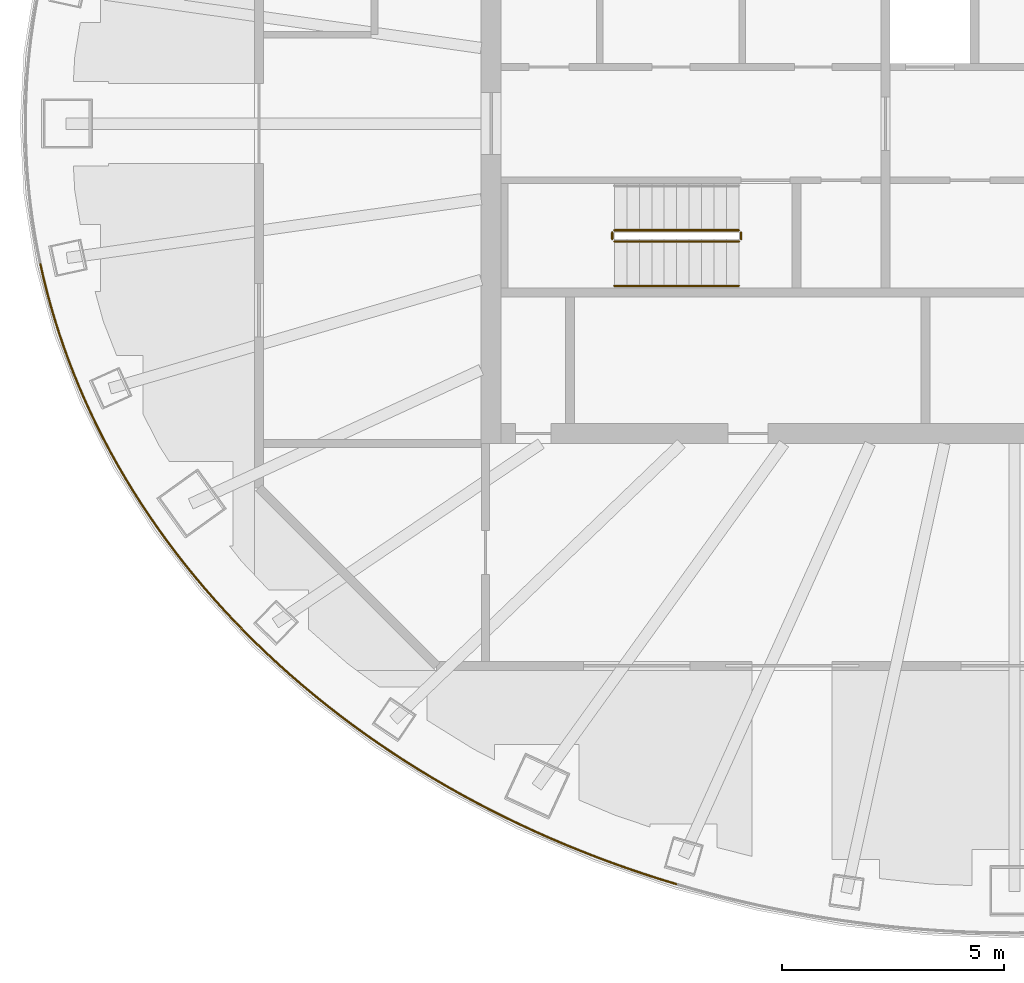
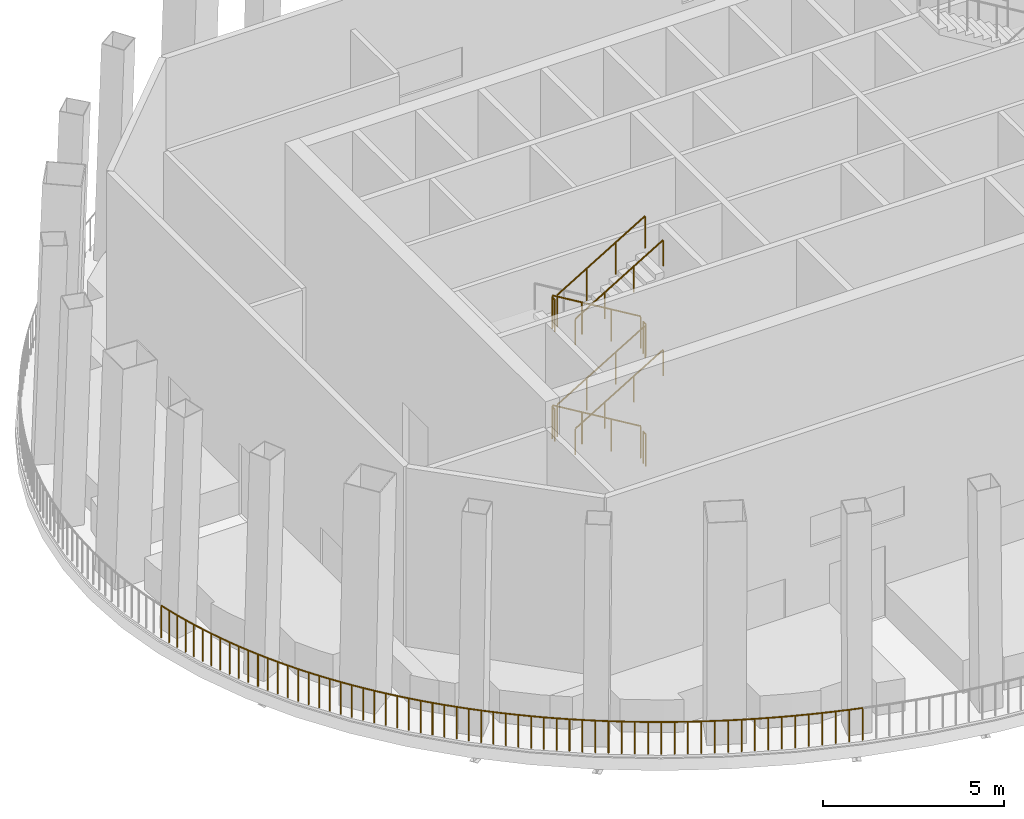
# One storey, part 7 of 12: 16 railings.
"""IFC4 building model written with IfcOpenShell, lengths in metres."""

from ifc_helpers import new_model, si_unit, direction, frame, origin, origin_2d, place, context, subcontext, project, spatial, circle, extrude, material, type_object, element, save


model = new_model("IFC4")

# Units and contexts
model_context = context("Model", 3, precision=1e-05, world=origin(), true_north=direction((0.0, 1.0)))
body_context = subcontext(model_context, "Body", "Model", "MODEL_VIEW")
ifc_project = project(units=[si_unit("LENGTHUNIT", "METRE"), si_unit("AREAUNIT", "SQUARE_METRE"), si_unit("VOLUMEUNIT", "CUBIC_METRE"), si_unit("PLANEANGLEUNIT", "RADIAN"), si_unit("MASSUNIT", "GRAM", prefix="KILO")], contexts=[model_context])

# Site, building, storey
site_placement = place(None, origin())
site = spatial("IfcSite", under=ifc_project, at=site_placement, CompositionType="ELEMENT")
building_placement = place(site_placement, origin())
building = spatial("IfcBuilding", under=site, at=building_placement, Name="Siaravel Broadcast Tower", CompositionType="ELEMENT")
storey_placement = place(building_placement, frame((0.0, 0.0, 205.199951171875)))
storey = spatial("IfcBuildingStorey", under=building, at=storey_placement, Name="L50", CompositionType="ELEMENT", Elevation=205.199951171875)

# Railings
ifc_material_1 = material(Name="Steel S355", Category="steel")
railing_type_1 = type_object("IfcRailingType", Name="Guard 1100", PredefinedType="GUARDRAIL", material=ifc_material_1)
railing_1_placement = place(storey_placement, frame((-21.91796875, -3.161865234375, 0.080078125)))
element("IfcRailing", 1, at=railing_1_placement, inside=storey, type_object=railing_type_1, Name="L50 sky garden guard 20", PredefinedType="GUARDRAIL", context=body_context, shape_type="SweptSolid", body=[
    extrude(circle(Radius=0.02392578125, at=origin_2d()), frame((0.0, 0.0, 1.076171875), z_axis=(0.220962402, -0.975282327, 0.0), x_axis=(0.975282327, 0.220962402, 0.0)), (0.0, 0.0, 1.0), 0.3203125),
    extrude(circle(Radius=0.02392578125, at=origin_2d()), frame((0.07080078125, -0.3125, 1.076171875), z_axis=(0.241103682, -0.970499363, 0.0), x_axis=(0.970499363, 0.241103682, 0.0)), (0.0, 0.0, 1.0), 0.321044921875),
    extrude(circle(Radius=0.02392578125, at=origin_2d()), frame((0.148193359375, -0.6240234375, 1.076171875), z_axis=(0.261444979, -0.965218381, 0.0), x_axis=(0.965218381, 0.261444979, 0.0)), (0.0, 0.0, 1.0), 0.3212890625),
    extrude(circle(Radius=0.02392578125, at=origin_2d()), frame((0.232177734375, -0.93408203125, 1.076171875), z_axis=(0.281920134, -0.959437876, 0.0), x_axis=(0.959437876, 0.281920134, 0.0)), (0.0, 0.0, 1.0), 0.322265625),
    extrude(circle(Radius=0.02392578125, at=origin_2d()), frame((0.322998046875, -1.2431640625, 1.076171875), z_axis=(0.301203806, -0.953559787, 0.0), x_axis=(0.953559787, 0.301203806, 0.0)), (0.0, 0.0, 1.0), 0.322509765625),
    extrude(circle(Radius=0.02392578125, at=origin_2d()), frame((0.420166015625, -1.55078125, 1.076171875), z_axis=(0.321429253, -0.946933596, 0.0), x_axis=(0.946933596, 0.321429253, 0.0)), (0.0, 0.0, 1.0), 0.323486328125),
    extrude(circle(Radius=0.02392578125, at=origin_2d()), frame((0.524169921875, -1.857177734375, 1.076171875), z_axis=(0.339866672, -0.940473628, 0.0), x_axis=(0.940473628, 0.339866672, 0.0)), (0.0, 0.0, 1.0), 0.323974609375),
    extrude(circle(Radius=0.02392578125, at=origin_2d()), frame((0.63427734375, -2.161865234375, 1.076171875), z_axis=(0.360087073, -0.9329187, 0.0), x_axis=(0.9329187, 0.360087073, 0.0)), (0.0, 0.0, 1.0), 0.32470703125),
    extrude(circle(Radius=0.02392578125, at=origin_2d()), frame((0.751220703125, -2.46484375, 1.076171875), z_axis=(0.378106972, -0.925761912, 0.0), x_axis=(0.925761912, 0.378106972, 0.0)), (0.0, 0.0, 1.0), 0.325439453125),
    extrude(circle(Radius=0.02392578125, at=origin_2d()), frame((0.874267578125, -2.76611328125, 1.076171875), z_axis=(0.397523557, -0.917591969, 0.0), x_axis=(0.917591969, 0.397523557, 0.0)), (0.0, 0.0, 1.0), 0.32666015625),
    extrude(circle(Radius=0.02099609375, at=origin_2d()), origin(), (0.0, 0.0, 1.0), 1.052001953125),
    extrude(circle(Radius=0.02099609375, at=origin_2d()), frame((0.07080078125, -0.3125, 0.0)), (0.0, 0.0, 1.0), 1.052001953125),
    extrude(circle(Radius=0.02099609375, at=origin_2d()), frame((0.148193359375, -0.6240234375, 0.0)), (0.0, 0.0, 1.0), 1.052001953125),
    extrude(circle(Radius=0.02099609375, at=origin_2d()), frame((0.232177734375, -0.93408203125, 0.0)), (0.0, 0.0, 1.0), 1.052001953125),
    extrude(circle(Radius=0.02099609375, at=origin_2d()), frame((0.322998046875, -1.2431640625, 0.0)), (0.0, 0.0, 1.0), 1.052001953125),
    extrude(circle(Radius=0.02099609375, at=origin_2d()), frame((0.420166015625, -1.55078125, 0.0)), (0.0, 0.0, 1.0), 1.052001953125),
    extrude(circle(Radius=0.02099609375, at=origin_2d()), frame((0.524169921875, -1.857177734375, 0.0)), (0.0, 0.0, 1.0), 1.052001953125),
    extrude(circle(Radius=0.02099609375, at=origin_2d()), frame((0.63427734375, -2.161865234375, 0.0)), (0.0, 0.0, 1.0), 1.052001953125),
    extrude(circle(Radius=0.02099609375, at=origin_2d()), frame((0.751220703125, -2.46484375, 0.0)), (0.0, 0.0, 1.0), 1.052001953125),
    extrude(circle(Radius=0.02099609375, at=origin_2d()), frame((0.874267578125, -2.76611328125, 0.0)), (0.0, 0.0, 1.0), 1.052001953125),
    extrude(circle(Radius=0.02099609375, at=origin_2d()), frame((1.004150390625, -3.06591796875, 0.0)), (0.0, 0.0, 1.0), 1.052001953125),
])
railing_2_placement = place(storey_placement, frame((-20.913818359375, -6.227783203125, 0.080078125)))
element("IfcRailing", 2, at=railing_2_placement, inside=storey, type_object=railing_type_1, Name="L50 sky garden guard 21", PredefinedType="GUARDRAIL", context=body_context, shape_type="SweptSolid", body=[
    extrude(circle(Radius=0.02392578125, at=origin_2d()), frame((0.0, 0.0, 1.076171875), z_axis=(0.415601054, -0.90954701, 0.0), x_axis=(0.90954701, 0.415601054, 0.0)), (0.0, 0.0, 1.0), 0.3271484375),
    extrude(circle(Radius=0.02392578125, at=origin_2d()), frame((0.135986328125, -0.297607421875, 1.076171875), z_axis=(0.433770877, -0.901023211, 0.0), x_axis=(0.901023211, 0.433770877, 0.0)), (0.0, 0.0, 1.0), 0.328125),
    extrude(circle(Radius=0.02392578125, at=origin_2d()), frame((0.2783203125, -0.59326171875, 1.076171875), z_axis=(0.451657892, -0.892191206, 0.0), x_axis=(0.892191206, 0.451657892, 0.0)), (0.0, 0.0, 1.0), 0.3291015625),
    extrude(circle(Radius=0.02392578125, at=origin_2d()), frame((0.427001953125, -0.886962890625, 1.076171875), z_axis=(0.469281499, -0.883048625, 0.0), x_axis=(0.883048625, 0.469281499, 0.0)), (0.0, 0.0, 1.0), 0.329833984375),
    extrude(circle(Radius=0.02392578125, at=origin_2d()), frame((0.581787109375, -1.17822265625, 1.076171875), z_axis=(0.486581595, -0.873635136, 0.0), x_axis=(0.873635136, 0.486581595, 0.0)), (0.0, 0.0, 1.0), 0.3310546875),
    extrude(circle(Radius=0.02392578125, at=origin_2d()), frame((0.742919921875, -1.467529296875, 1.076171875), z_axis=(0.503642434, -0.863912205, 0.0), x_axis=(0.863912205, 0.503642434, 0.0)), (0.0, 0.0, 1.0), 0.33203125),
    extrude(circle(Radius=0.02392578125, at=origin_2d()), frame((0.91015625, -1.75439453125, 1.076171875), z_axis=(0.52041193, -0.853915349, 0.0), x_axis=(0.853915349, 0.52041193, 0.0)), (0.0, 0.0, 1.0), 0.3330078125),
    extrude(circle(Radius=0.02392578125, at=origin_2d()), frame((1.08349609375, -2.038818359375, 1.076171875), z_axis=(0.537206502, -0.843450754, 0.0), x_axis=(0.843450754, 0.537206502, 0.0)), (0.0, 0.0, 1.0), 0.333984375),
    extrude(circle(Radius=0.02392578125, at=origin_2d()), frame((1.262939453125, -2.320556640625, 1.076171875), z_axis=(0.552849831, -0.833280904, 0.0), x_axis=(0.833280904, 0.552849831, 0.0)), (0.0, 0.0, 1.0), 0.335205078125),
    extrude(circle(Radius=0.02392578125, at=origin_2d()), frame((1.4482421875, -2.599853515625, 1.076171875), z_axis=(0.568530162, -0.822662418, 0.0), x_axis=(0.822662418, 0.568530162, 0.0)), (0.0, 0.0, 1.0), 0.336181640625),
    extrude(circle(Radius=0.02099609375, at=origin_2d()), origin(), (0.0, 0.0, 1.0), 1.052001953125),
    extrude(circle(Radius=0.02099609375, at=origin_2d()), frame((0.135986328125, -0.297607421875, 0.0)), (0.0, 0.0, 1.0), 1.052001953125),
    extrude(circle(Radius=0.02099609375, at=origin_2d()), frame((0.2783203125, -0.59326171875, 0.0)), (0.0, 0.0, 1.0), 1.052001953125),
    extrude(circle(Radius=0.02099609375, at=origin_2d()), frame((0.427001953125, -0.886962890625, 0.0)), (0.0, 0.0, 1.0), 1.052001953125),
    extrude(circle(Radius=0.02099609375, at=origin_2d()), frame((0.581787109375, -1.17822265625, 0.0)), (0.0, 0.0, 1.0), 1.052001953125),
    extrude(circle(Radius=0.02099609375, at=origin_2d()), frame((0.742919921875, -1.467529296875, 0.0)), (0.0, 0.0, 1.0), 1.052001953125),
    extrude(circle(Radius=0.02099609375, at=origin_2d()), frame((0.91015625, -1.75439453125, 0.0)), (0.0, 0.0, 1.0), 1.052001953125),
    extrude(circle(Radius=0.02099609375, at=origin_2d()), frame((1.08349609375, -2.038818359375, 0.0)), (0.0, 0.0, 1.0), 1.052001953125),
    extrude(circle(Radius=0.02099609375, at=origin_2d()), frame((1.262939453125, -2.320556640625, 0.0)), (0.0, 0.0, 1.0), 1.052001953125),
    extrude(circle(Radius=0.02099609375, at=origin_2d()), frame((1.4482421875, -2.599853515625, 0.0)), (0.0, 0.0, 1.0), 1.052001953125),
    extrude(circle(Radius=0.02099609375, at=origin_2d()), frame((1.639404296875, -2.87646484375, 0.0)), (0.0, 0.0, 1.0), 1.052001953125),
])
railing_3_placement = place(storey_placement, frame((-19.2744140625, -9.104248046875, 0.080078125)))
element("IfcRailing", 3, at=railing_3_placement, inside=storey, type_object=railing_type_1, Name="L50 sky garden guard 22", PredefinedType="GUARDRAIL", context=body_context, shape_type="SweptSolid", body=[
    extrude(circle(Radius=0.02392578125, at=origin_2d()), frame((0.0, 0.0, 1.076171875), z_axis=(0.584380934, -0.811479466, 0.0), x_axis=(0.811479466, 0.584380934, 0.0)), (0.0, 0.0, 1.0), 0.337646484375),
    extrude(circle(Radius=0.02392578125, at=origin_2d()), frame((0.197265625, -0.27392578125, 1.076171875), z_axis=(0.599307435, -0.800518956, 0.0), x_axis=(0.800518956, 0.599307435, 0.0)), (0.0, 0.0, 1.0), 0.338623046875),
    extrude(circle(Radius=0.02392578125, at=origin_2d()), frame((0.400146484375, -0.544921875, 1.076171875), z_axis=(0.614736721, -0.788732378, 0.0), x_axis=(0.788732378, 0.614736721, 0.0)), (0.0, 0.0, 1.0), 0.339599609375),
    extrude(circle(Radius=0.02392578125, at=origin_2d()), frame((0.60888671875, -0.812744140625, 1.076171875), z_axis=(0.628703723, -0.777644924, 0.0), x_axis=(0.777644924, 0.628703723, 0.0)), (0.0, 0.0, 1.0), 0.341064453125),
    extrude(circle(Radius=0.02392578125, at=origin_2d()), frame((0.8232421875, -1.077880859375, 1.076171875), z_axis=(0.643058171, -0.765817334, 0.0), x_axis=(0.765817334, 0.643058171, 0.0)), (0.0, 0.0, 1.0), 0.342041015625),
    extrude(circle(Radius=0.02392578125, at=origin_2d()), frame((1.043212890625, -1.33984375, 1.076171875), z_axis=(0.65744612, -0.753501559, 0.0), x_axis=(0.753501559, 0.65744612, 0.0)), (0.0, 0.0, 1.0), 0.343017578125),
    extrude(circle(Radius=0.02392578125, at=origin_2d()), frame((1.268798828125, -1.598388671875, 1.076171875), z_axis=(0.67080203, -0.741636458, 0.0), x_axis=(0.741636458, 0.67080203, 0.0)), (0.0, 0.0, 1.0), 0.3447265625),
    extrude(circle(Radius=0.02392578125, at=origin_2d()), frame((1.5, -1.85400390625, 1.076171875), z_axis=(0.68412918, -0.729360861, 0.0), x_axis=(0.729360861, 0.68412918, 0.0)), (0.0, 0.0, 1.0), 0.345458984375),
    extrude(circle(Radius=0.02392578125, at=origin_2d()), frame((1.736328125, -2.10595703125, 1.076171875), z_axis=(0.697188894, -0.716887471, 0.0), x_axis=(0.716887471, 0.697188894, 0.0)), (0.0, 0.0, 1.0), 0.346923828125),
    extrude(circle(Radius=0.02392578125, at=origin_2d()), frame((1.978271484375, -2.354736328125, 1.076171875), z_axis=(0.709208125, -0.704999174, 0.0), x_axis=(0.704999174, 0.709208125, 0.0)), (0.0, 0.0, 1.0), 0.34814453125),
    extrude(circle(Radius=0.02099609375, at=origin_2d()), origin(), (0.0, 0.0, 1.0), 1.052001953125),
    extrude(circle(Radius=0.02099609375, at=origin_2d()), frame((0.197265625, -0.27392578125, 0.0)), (0.0, 0.0, 1.0), 1.052001953125),
    extrude(circle(Radius=0.02099609375, at=origin_2d()), frame((0.400146484375, -0.544921875, 0.0)), (0.0, 0.0, 1.0), 1.052001953125),
    extrude(circle(Radius=0.02099609375, at=origin_2d()), frame((0.60888671875, -0.812744140625, 0.0)), (0.0, 0.0, 1.0), 1.052001953125),
    extrude(circle(Radius=0.02099609375, at=origin_2d()), frame((0.8232421875, -1.077880859375, 0.0)), (0.0, 0.0, 1.0), 1.052001953125),
    extrude(circle(Radius=0.02099609375, at=origin_2d()), frame((1.043212890625, -1.33984375, 0.0)), (0.0, 0.0, 1.0), 1.052001953125),
    extrude(circle(Radius=0.02099609375, at=origin_2d()), frame((1.268798828125, -1.598388671875, 0.0)), (0.0, 0.0, 1.0), 1.052001953125),
    extrude(circle(Radius=0.02099609375, at=origin_2d()), frame((1.5, -1.85400390625, 0.0)), (0.0, 0.0, 1.0), 1.052001953125),
    extrude(circle(Radius=0.02099609375, at=origin_2d()), frame((1.736328125, -2.10595703125, 0.0)), (0.0, 0.0, 1.0), 1.052001953125),
    extrude(circle(Radius=0.02099609375, at=origin_2d()), frame((1.978271484375, -2.354736328125, 0.0)), (0.0, 0.0, 1.0), 1.052001953125),
    extrude(circle(Radius=0.02099609375, at=origin_2d()), frame((2.22509765625, -2.60009765625, 0.0)), (0.0, 0.0, 1.0), 1.052001953125),
])
railing_4_placement = place(storey_placement, frame((-17.04931640625, -11.704345703125, 0.080078125)))
element("IfcRailing", 4, at=railing_4_placement, inside=storey, type_object=railing_type_1, Name="L50 sky garden guard 23", PredefinedType="GUARDRAIL", context=body_context, shape_type="SweptSolid", body=[
    extrude(circle(Radius=0.02392578125, at=origin_2d()), frame((0.0, 0.0, 1.076171875), z_axis=(0.722657035, -0.691206778, 0.0), x_axis=(0.691206778, 0.722657035, 0.0)), (0.0, 0.0, 1.0), 0.349365234375),
    extrude(circle(Radius=0.02392578125, at=origin_2d()), frame((0.25244140625, -0.241455078125, 1.076171875), z_axis=(0.73408208, -0.679060748, 0.0), x_axis=(0.679060748, 0.73408208, 0.0)), (0.0, 0.0, 1.0), 0.3505859375),
    extrude(circle(Radius=0.02392578125, at=origin_2d()), frame((0.509765625, -0.4794921875, 1.076171875), z_axis=(0.745876104, -0.666084707, 0.0), x_axis=(0.666084707, 0.745876104, 0.0)), (0.0, 0.0, 1.0), 0.351806640625),
    extrude(circle(Radius=0.02392578125, at=origin_2d()), frame((0.772216796875, -0.7138671875, 1.076171875), z_axis=(0.757398166, -0.652953305, 0.0), x_axis=(0.652953305, 0.757398166, 0.0)), (0.0, 0.0, 1.0), 0.35302734375),
    extrude(circle(Radius=0.02392578125, at=origin_2d()), frame((1.03955078125, -0.9443359375, 1.076171875), z_axis=(0.768559864, -0.63977788, 0.0), x_axis=(0.63977788, 0.768559864, 0.0)), (0.0, 0.0, 1.0), 0.3544921875),
    extrude(circle(Radius=0.02392578125, at=origin_2d()), frame((1.31201171875, -1.171142578125, 1.076171875), z_axis=(0.779257223, -0.626704221, 0.0), x_axis=(0.626704221, 0.779257223, 0.0)), (0.0, 0.0, 1.0), 0.355224609375),
    extrude(circle(Radius=0.02392578125, at=origin_2d()), frame((1.5888671875, -1.393798828125, 1.076171875), z_axis=(0.789867917, -0.613276996, 0.0), x_axis=(0.613276996, 0.789867917, 0.0)), (0.0, 0.0, 1.0), 0.356689453125),
    extrude(circle(Radius=0.02392578125, at=origin_2d()), frame((1.87060546875, -1.612548828125, 1.076171875), z_axis=(0.800490663, -0.599345224, 0.0), x_axis=(0.599345224, 0.800490663, 0.0)), (0.0, 0.0, 1.0), 0.358154296875),
    extrude(circle(Radius=0.02392578125, at=origin_2d()), frame((2.1572265625, -1.8271484375, 1.076171875), z_axis=(0.809763888, -0.586755865, 0.0), x_axis=(0.586755865, 0.809763888, 0.0)), (0.0, 0.0, 1.0), 0.359130859375),
    extrude(circle(Radius=0.02392578125, at=origin_2d()), frame((2.447998046875, -2.037841796875, 1.076171875), z_axis=(0.819868065, -0.572552492, 0.0), x_axis=(0.572552492, 0.819868065, 0.0)), (0.0, 0.0, 1.0), 0.3603515625),
    extrude(circle(Radius=0.02099609375, at=origin_2d()), origin(), (0.0, 0.0, 1.0), 1.052001953125),
    extrude(circle(Radius=0.02099609375, at=origin_2d()), frame((0.25244140625, -0.241455078125, 0.0)), (0.0, 0.0, 1.0), 1.052001953125),
    extrude(circle(Radius=0.02099609375, at=origin_2d()), frame((0.509765625, -0.4794921875, 0.0)), (0.0, 0.0, 1.0), 1.052001953125),
    extrude(circle(Radius=0.02099609375, at=origin_2d()), frame((0.772216796875, -0.7138671875, 0.0)), (0.0, 0.0, 1.0), 1.052001953125),
    extrude(circle(Radius=0.02099609375, at=origin_2d()), frame((1.03955078125, -0.9443359375, 0.0)), (0.0, 0.0, 1.0), 1.052001953125),
    extrude(circle(Radius=0.02099609375, at=origin_2d()), frame((1.31201171875, -1.171142578125, 0.0)), (0.0, 0.0, 1.0), 1.052001953125),
    extrude(circle(Radius=0.02099609375, at=origin_2d()), frame((1.5888671875, -1.393798828125, 0.0)), (0.0, 0.0, 1.0), 1.052001953125),
    extrude(circle(Radius=0.02099609375, at=origin_2d()), frame((1.87060546875, -1.612548828125, 0.0)), (0.0, 0.0, 1.0), 1.052001953125),
    extrude(circle(Radius=0.02099609375, at=origin_2d()), frame((2.1572265625, -1.8271484375, 0.0)), (0.0, 0.0, 1.0), 1.052001953125),
    extrude(circle(Radius=0.02099609375, at=origin_2d()), frame((2.447998046875, -2.037841796875, 0.0)), (0.0, 0.0, 1.0), 1.052001953125),
    extrude(circle(Radius=0.02099609375, at=origin_2d()), frame((2.743408203125, -2.244140625, 0.0)), (0.0, 0.0, 1.0), 1.052001953125),
])
railing_5_placement = place(storey_placement, frame((-14.305908203125, -13.948486328125, 0.080078125)))
element("IfcRailing", 5, at=railing_5_placement, inside=storey, type_object=railing_type_1, Name="L50 sky garden guard 24", PredefinedType="GUARDRAIL", context=body_context, shape_type="SweptSolid", body=[
    extrude(circle(Radius=0.02392578125, at=origin_2d()), frame((0.0, 0.0, 1.076171875), z_axis=(0.829130356, -0.559055322, 0.0), x_axis=(0.559055322, 0.829130356, 0.0)), (0.0, 0.0, 1.0), 0.361572265625),
    extrude(circle(Radius=0.02392578125, at=origin_2d()), frame((0.2998046875, -0.2021484375, 1.076171875), z_axis=(0.837905031, -0.545816048, 0.0), x_axis=(0.545816048, 0.837905031, 0.0)), (0.0, 0.0, 1.0), 0.36279296875),
    extrude(circle(Radius=0.02392578125, at=origin_2d()), frame((0.603759765625, -0.400146484375, 1.076171875), z_axis=(0.847016493, -0.53156661, 0.0), x_axis=(0.53156661, 0.847016493, 0.0)), (0.0, 0.0, 1.0), 0.36376953125),
    extrude(circle(Radius=0.02392578125, at=origin_2d()), frame((0.911865234375, -0.593505859375, 1.076171875), z_axis=(0.855242736, -0.518227616, 0.0), x_axis=(0.518227616, 0.855242736, 0.0)), (0.0, 0.0, 1.0), 0.364990234375),
    extrude(circle(Radius=0.02392578125, at=origin_2d()), frame((1.22412109375, -0.78271484375, 1.076171875), z_axis=(0.863899853, -0.503663621, 0.0), x_axis=(0.503663621, 0.863899853, 0.0)), (0.0, 0.0, 1.0), 0.365966796875),
    extrude(circle(Radius=0.02392578125, at=origin_2d()), frame((1.540283203125, -0.967041015625, 1.076171875), z_axis=(0.871415727, -0.490545238, 0.0), x_axis=(0.490545238, 0.871415727, 0.0)), (0.0, 0.0, 1.0), 0.3671875),
    extrude(circle(Radius=0.02392578125, at=origin_2d()), frame((1.8603515625, -1.147216796875, 1.076171875), z_axis=(0.879511614, -0.475877422, 0.0), x_axis=(0.475877422, 0.879511614, 0.0)), (0.0, 0.0, 1.0), 0.368408203125),
    extrude(circle(Radius=0.02392578125, at=origin_2d()), frame((2.184326171875, -1.322509765625, 1.076171875), z_axis=(0.886631963, -0.462475689, 0.0), x_axis=(0.462475689, 0.886631963, 0.0)), (0.0, 0.0, 1.0), 0.36962890625),
    extrude(circle(Radius=0.02392578125, at=origin_2d()), frame((2.511962890625, -1.493408203125, 1.076171875), z_axis=(0.894031544, -0.448004016, 0.0), x_axis=(0.448004016, 0.894031544, 0.0)), (0.0, 0.0, 1.0), 0.37060546875),
    extrude(circle(Radius=0.02392578125, at=origin_2d()), frame((2.84326171875, -1.659423828125, 1.076171875), z_axis=(0.90090645, -0.434013326, 0.0), x_axis=(0.434013326, 0.90090645, 0.0)), (0.0, 0.0, 1.0), 0.371337890625),
    extrude(circle(Radius=0.02099609375, at=origin_2d()), origin(), (0.0, 0.0, 1.0), 1.052001953125),
    extrude(circle(Radius=0.02099609375, at=origin_2d()), frame((0.2998046875, -0.2021484375, 0.0)), (0.0, 0.0, 1.0), 1.052001953125),
    extrude(circle(Radius=0.02099609375, at=origin_2d()), frame((0.603759765625, -0.400146484375, 0.0)), (0.0, 0.0, 1.0), 1.052001953125),
    extrude(circle(Radius=0.02099609375, at=origin_2d()), frame((0.911865234375, -0.593505859375, 0.0)), (0.0, 0.0, 1.0), 1.052001953125),
    extrude(circle(Radius=0.02099609375, at=origin_2d()), frame((1.22412109375, -0.78271484375, 0.0)), (0.0, 0.0, 1.0), 1.052001953125),
    extrude(circle(Radius=0.02099609375, at=origin_2d()), frame((1.540283203125, -0.967041015625, 0.0)), (0.0, 0.0, 1.0), 1.052001953125),
    extrude(circle(Radius=0.02099609375, at=origin_2d()), frame((1.8603515625, -1.147216796875, 0.0)), (0.0, 0.0, 1.0), 1.052001953125),
    extrude(circle(Radius=0.02099609375, at=origin_2d()), frame((2.184326171875, -1.322509765625, 0.0)), (0.0, 0.0, 1.0), 1.052001953125),
    extrude(circle(Radius=0.02099609375, at=origin_2d()), frame((2.511962890625, -1.493408203125, 0.0)), (0.0, 0.0, 1.0), 1.052001953125),
    extrude(circle(Radius=0.02099609375, at=origin_2d()), frame((2.84326171875, -1.659423828125, 0.0)), (0.0, 0.0, 1.0), 1.052001953125),
    extrude(circle(Radius=0.02099609375, at=origin_2d()), frame((3.177734375, -1.820556640625, 0.0)), (0.0, 0.0, 1.0), 1.052001953125),
])
railing_6_placement = place(storey_placement, frame((-11.128173828125, -15.76904296875, 0.080078125)))
element("IfcRailing", 6, at=railing_6_placement, inside=storey, type_object=railing_type_1, Name="L50 sky garden guard 25", PredefinedType="GUARDRAIL", context=body_context, shape_type="SweptSolid", body=[
    extrude(circle(Radius=0.02392578125, at=origin_2d()), frame((0.0, 0.0, 1.076171875), z_axis=(0.907517788, -0.420013648, 0.0), x_axis=(0.420013648, 0.907517788, 0.0)), (0.0, 0.0, 1.0), 0.37255859375),
    extrude(circle(Radius=0.02392578125, at=origin_2d()), frame((0.338134765625, -0.156494140625, 1.076171875), z_axis=(0.914000038, -0.405714099, 0.0), x_axis=(0.405714099, 0.914000038, 0.0)), (0.0, 0.0, 1.0), 0.373779296875),
    extrude(circle(Radius=0.02392578125, at=origin_2d()), frame((0.6796875, -0.30810546875, 1.076171875), z_axis=(0.919784443, -0.392423979, 0.0), x_axis=(0.392423979, 0.919784443, 0.0)), (0.0, 0.0, 1.0), 0.37451171875),
    extrude(circle(Radius=0.02392578125, at=origin_2d()), frame((1.024169921875, -0.455078125, 1.076171875), z_axis=(0.926126022, -0.377214251, 0.0), x_axis=(0.377214251, 0.926126022, 0.0)), (0.0, 0.0, 1.0), 0.37548828125),
    extrude(circle(Radius=0.02392578125, at=origin_2d()), frame((1.371826171875, -0.5966796875, 1.076171875), z_axis=(0.931443609, -0.3638857, 0.0), x_axis=(0.3638857, 0.931443609, 0.0)), (0.0, 0.0, 1.0), 0.37646484375),
    extrude(circle(Radius=0.02392578125, at=origin_2d()), frame((1.722412109375, -0.733642578125, 1.076171875), z_axis=(0.936886766, -0.349632933, 0.0), x_axis=(0.349632933, 0.936886766, 0.0)), (0.0, 0.0, 1.0), 0.376953125),
    extrude(circle(Radius=0.02392578125, at=origin_2d()), frame((2.07568359375, -0.865478515625, 1.076171875), z_axis=(0.942368633, -0.334576389, 0.0), x_axis=(0.334576389, 0.942368633, 0.0)), (0.0, 0.0, 1.0), 0.3779296875),
    extrude(circle(Radius=0.02392578125, at=origin_2d()), frame((2.431884765625, -0.991943359375, 1.076171875), z_axis=(0.94692969, -0.321440759, 0.0), x_axis=(0.321440759, 0.94692969, 0.0)), (0.0, 0.0, 1.0), 0.37890625),
    extrude(circle(Radius=0.02392578125, at=origin_2d()), frame((2.790771484375, -1.11376953125, 1.076171875), z_axis=(0.951847843, -0.306570845, 0.0), x_axis=(0.306570845, 0.951847843, 0.0)), (0.0, 0.0, 1.0), 0.3798828125),
    extrude(circle(Radius=0.02392578125, at=origin_2d()), frame((3.15234375, -1.230224609375, 1.076171875), z_axis=(0.956221948, -0.292642422, 0.0), x_axis=(0.292642422, 0.956221948, 0.0)), (0.0, 0.0, 1.0), 0.38037109375),
    extrude(circle(Radius=0.02099609375, at=origin_2d()), origin(), (0.0, 0.0, 1.0), 1.052001953125),
    extrude(circle(Radius=0.02099609375, at=origin_2d()), frame((0.338134765625, -0.156494140625, 0.0)), (0.0, 0.0, 1.0), 1.052001953125),
    extrude(circle(Radius=0.02099609375, at=origin_2d()), frame((0.6796875, -0.30810546875, 0.0)), (0.0, 0.0, 1.0), 1.052001953125),
    extrude(circle(Radius=0.02099609375, at=origin_2d()), frame((1.024169921875, -0.455078125, 0.0)), (0.0, 0.0, 1.0), 1.052001953125),
    extrude(circle(Radius=0.02099609375, at=origin_2d()), frame((1.371826171875, -0.5966796875, 0.0)), (0.0, 0.0, 1.0), 1.052001953125),
    extrude(circle(Radius=0.02099609375, at=origin_2d()), frame((1.722412109375, -0.733642578125, 0.0)), (0.0, 0.0, 1.0), 1.052001953125),
    extrude(circle(Radius=0.02099609375, at=origin_2d()), frame((2.07568359375, -0.865478515625, 0.0)), (0.0, 0.0, 1.0), 1.052001953125),
    extrude(circle(Radius=0.02099609375, at=origin_2d()), frame((2.431884765625, -0.991943359375, 0.0)), (0.0, 0.0, 1.0), 1.052001953125),
    extrude(circle(Radius=0.02099609375, at=origin_2d()), frame((2.790771484375, -1.11376953125, 0.0)), (0.0, 0.0, 1.0), 1.052001953125),
    extrude(circle(Radius=0.02099609375, at=origin_2d()), frame((3.15234375, -1.230224609375, 0.0)), (0.0, 0.0, 1.0), 1.052001953125),
    extrude(circle(Radius=0.02099609375, at=origin_2d()), frame((3.51611328125, -1.341552734375, 0.0)), (0.0, 0.0, 1.0), 1.052001953125),
])
ifc_material_2 = material(Name="Stainless steel 316L", Category="steel")
railing_type_2 = type_object("IfcRailingType", Name="Stair guard 1100", PredefinedType="GUARDRAIL", material=ifc_material_2)
railing_7_placement = place(storey_placement, frame((-6.199951171875, -2.39990234375, 0.168212890625)))
element("IfcRailing", 7, at=railing_7_placement, inside=storey, type_object=railing_type_2, Name="L50 ST-1 stair guard 1", PredefinedType="GUARDRAIL", context=body_context, shape_type="SweptSolid", body=[
    extrude(circle(Radius=0.02392578125, at=origin_2d()), frame((0.0, 0.0, 1.076171875), z_axis=(-0.857242211, 0.0, 0.514913383), x_axis=(0.0, -1.0, 0.0)), (0.0, 0.0, 1.0), 3.266357421875),
    extrude(circle(Radius=0.02099609375, at=origin_2d()), origin(), (0.0, 0.0, 1.0), 1.052001953125),
    extrude(circle(Radius=0.02099609375, at=origin_2d()), frame((-0.933349609375, 0.0, 0.560546875)), (0.0, 0.0, 1.0), 1.052001953125),
    extrude(circle(Radius=0.02099609375, at=origin_2d()), frame((-1.86669921875, 0.0, 1.121337890625)), (0.0, 0.0, 1.0), 1.052001953125),
    extrude(circle(Radius=0.02099609375, at=origin_2d()), frame((-2.800048828125, 0.0, 1.681884765625)), (0.0, 0.0, 1.0), 1.052001953125),
])
railing_8_placement = place(storey_placement, frame((-9.050048828125, -2.449951171875, 1.85009765625)))
element("IfcRailing", 8, at=railing_8_placement, inside=storey, type_object=railing_type_2, Name="L50 ST-1 stair guard 2", PredefinedType="GUARDRAIL", context=body_context, shape_type="SweptSolid", body=[
    extrude(circle(Radius=0.02392578125, at=origin_2d()), frame((0.0, 0.0, 1.076171875), z_axis=(0.0, -1.0, 0.0), x_axis=(1.0, 0.0, 0.0)), (0.0, 0.0, 1.0), 0.150146484375),
    extrude(circle(Radius=0.02099609375, at=origin_2d()), origin(), (0.0, 0.0, 1.0), 1.052001953125),
    extrude(circle(Radius=0.02099609375, at=origin_2d()), frame((0.0, -0.150146484375, 0.0)), (0.0, 0.0, 1.0), 1.052001953125),
])
railing_9_placement = place(storey_placement, frame((-9.0, -2.64990234375, 2.018310546875)))
element("IfcRailing", 9, at=railing_9_placement, inside=storey, type_object=railing_type_2, Name="L50 ST-1 stair guard 3", PredefinedType="GUARDRAIL", context=body_context, shape_type="SweptSolid", body=[
    extrude(circle(Radius=0.02392578125, at=origin_2d()), frame((0.0, 0.0, 1.076171875), z_axis=(0.857275203, 0.0, 0.514858453), x_axis=(0.0, 1.0, 0.0)), (0.0, 0.0, 1.0), 3.26611328125),
    extrude(circle(Radius=0.02099609375, at=origin_2d()), origin(), (0.0, 0.0, 1.0), 1.052001953125),
    extrude(circle(Radius=0.02099609375, at=origin_2d()), frame((0.933349609375, 0.0, 0.560546875)), (0.0, 0.0, 1.0), 1.052001953125),
    extrude(circle(Radius=0.02099609375, at=origin_2d()), frame((1.86669921875, 0.0, 1.12109375)), (0.0, 0.0, 1.0), 1.052001953125),
    extrude(circle(Radius=0.02099609375, at=origin_2d()), frame((2.800048828125, 0.0, 1.681640625)), (0.0, 0.0, 1.0), 1.052001953125),
])
railing_10_placement = place(storey_placement, frame((-6.14990234375, -2.449951171875, 3.699951171875)))
element("IfcRailing", 10, at=railing_10_placement, inside=storey, type_object=railing_type_2, Name="L50 ST-1 stair guard 4", PredefinedType="GUARDRAIL", context=body_context, shape_type="SweptSolid", body=[
    extrude(circle(Radius=0.02392578125, at=origin_2d()), frame((0.0, 0.0, 1.076171875), z_axis=(0.0, -1.0, 0.0), x_axis=(1.0, 0.0, 0.0)), (0.0, 0.0, 1.0), 0.150146484375),
    extrude(circle(Radius=0.02099609375, at=origin_2d()), origin(), (0.0, 0.0, 1.0), 1.052001953125),
    extrude(circle(Radius=0.02099609375, at=origin_2d()), frame((0.0, -0.150146484375, 0.0)), (0.0, 0.0, 1.0), 1.052001953125),
])
railing_11_placement = place(storey_placement, frame((-6.199951171875, -2.39990234375, 3.8681640625)))
element("IfcRailing", 11, at=railing_11_placement, inside=storey, type_object=railing_type_2, Name="L50 ST-1 stair guard 5", PredefinedType="GUARDRAIL", context=body_context, shape_type="SweptSolid", body=[
    extrude(circle(Radius=0.02392578125, at=origin_2d()), frame((0.0, 0.0, 1.076171875), z_axis=(-0.857242211, 0.0, 0.514913383), x_axis=(0.0, -1.0, 0.0)), (0.0, 0.0, 1.0), 3.266357421875),
    extrude(circle(Radius=0.02099609375, at=origin_2d()), origin(), (0.0, 0.0, 1.0), 1.052001953125),
    extrude(circle(Radius=0.02099609375, at=origin_2d()), frame((-0.933349609375, 0.0, 0.560546875)), (0.0, 0.0, 1.0), 1.052001953125),
    extrude(circle(Radius=0.02099609375, at=origin_2d()), frame((-1.86669921875, 0.0, 1.121337890625)), (0.0, 0.0, 1.0), 1.052001953125),
    extrude(circle(Radius=0.02099609375, at=origin_2d()), frame((-2.800048828125, 0.0, 1.681884765625)), (0.0, 0.0, 1.0), 1.052001953125),
])
railing_12_placement = place(storey_placement, frame((-9.050048828125, -2.449951171875, 5.550048828125)))
element("IfcRailing", 12, at=railing_12_placement, inside=storey, type_object=railing_type_2, Name="L50 ST-1 stair guard 6", PredefinedType="GUARDRAIL", context=body_context, shape_type="SweptSolid", body=[
    extrude(circle(Radius=0.02392578125, at=origin_2d()), frame((0.0, 0.0, 1.076171875), z_axis=(0.0, -1.0, 0.0), x_axis=(1.0, 0.0, 0.0)), (0.0, 0.0, 1.0), 0.150146484375),
    extrude(circle(Radius=0.02099609375, at=origin_2d()), origin(), (0.0, 0.0, 1.0), 1.052001953125),
    extrude(circle(Radius=0.02099609375, at=origin_2d()), frame((0.0, -0.150146484375, 0.0)), (0.0, 0.0, 1.0), 1.052001953125),
])
railing_13_placement = place(storey_placement, frame((-9.0, -2.64990234375, 5.71826171875)))
element("IfcRailing", 13, at=railing_13_placement, inside=storey, type_object=railing_type_2, Name="L50 ST-1 stair guard 7", PredefinedType="GUARDRAIL", context=body_context, shape_type="SweptSolid", body=[
    extrude(circle(Radius=0.02392578125, at=origin_2d()), frame((0.0, 0.0, 1.076171875), z_axis=(0.857242211, 0.0, 0.514913383), x_axis=(0.0, 1.0, 0.0)), (0.0, 0.0, 1.0), 3.266357421875),
    extrude(circle(Radius=0.02099609375, at=origin_2d()), origin(), (0.0, 0.0, 1.0), 1.052001953125),
    extrude(circle(Radius=0.02099609375, at=origin_2d()), frame((0.933349609375, 0.0, 0.560546875)), (0.0, 0.0, 1.0), 1.052001953125),
    extrude(circle(Radius=0.02099609375, at=origin_2d()), frame((1.86669921875, 0.0, 1.121337890625)), (0.0, 0.0, 1.0), 1.052001953125),
    extrude(circle(Radius=0.02099609375, at=origin_2d()), frame((2.800048828125, 0.0, 1.681884765625)), (0.0, 0.0, 1.0), 1.052001953125),
])
railing_14_placement = place(storey_placement, frame((-6.14990234375, -2.449951171875, 0.0)))
element("IfcRailing", 14, at=railing_14_placement, inside=storey, type_object=railing_type_2, Name="L50 ST-1 stair guard 8", PredefinedType="GUARDRAIL", context=body_context, shape_type="SweptSolid", body=[
    extrude(circle(Radius=0.02392578125, at=origin_2d()), frame((0.0, 0.0, 1.076171875), z_axis=(0.0, -1.0, 0.0), x_axis=(1.0, 0.0, 0.0)), (0.0, 0.0, 1.0), 0.150146484375),
    extrude(circle(Radius=0.02099609375, at=origin_2d()), origin(), (0.0, 0.0, 1.0), 1.052001953125),
    extrude(circle(Radius=0.02099609375, at=origin_2d()), frame((0.0, -0.150146484375, 0.0)), (0.0, 0.0, 1.0), 1.052001953125),
])
railing_type_3 = type_object("IfcRailingType", Name="Stair handrail 900", PredefinedType="HANDRAIL", material=ifc_material_2)
railing_15_placement = place(storey_placement, frame((-9.0, -3.64990234375, 2.018310546875)))
element("IfcRailing", 15, at=railing_15_placement, inside=storey, type_object=railing_type_3, Name="L50 ST-1 stair handrail 2", PredefinedType="HANDRAIL", context=body_context, shape_type="SweptSolid", body=[
    extrude(circle(Radius=0.02392578125, at=origin_2d()), frame((0.0, 0.0, 0.8759765625), z_axis=(0.857275203, 0.0, 0.514858453), x_axis=(0.0, 1.0, 0.0)), (0.0, 0.0, 1.0), 3.26611328125),
    extrude(circle(Radius=0.02099609375, at=origin_2d()), origin(), (0.0, 0.0, 1.0), 0.851806640625),
    extrude(circle(Radius=0.02099609375, at=origin_2d()), frame((0.933349609375, 0.0, 0.560546875)), (0.0, 0.0, 1.0), 0.851806640625),
    extrude(circle(Radius=0.02099609375, at=origin_2d()), frame((1.86669921875, 0.0, 1.12109375)), (0.0, 0.0, 1.0), 0.851806640625),
    extrude(circle(Radius=0.02099609375, at=origin_2d()), frame((2.800048828125, 0.0, 1.681640625)), (0.0, 0.0, 1.0), 0.851806640625),
])
railing_16_placement = place(storey_placement, frame((-9.0, -3.64990234375, 5.71826171875)))
element("IfcRailing", 16, at=railing_16_placement, inside=storey, type_object=railing_type_3, Name="L50 ST-1 stair handrail 4", PredefinedType="HANDRAIL", context=body_context, shape_type="SweptSolid", body=[
    extrude(circle(Radius=0.02392578125, at=origin_2d()), frame((0.0, 0.0, 0.8759765625), z_axis=(0.857242211, 0.0, 0.514913383), x_axis=(0.0, 1.0, 0.0)), (0.0, 0.0, 1.0), 3.266357421875),
    extrude(circle(Radius=0.02099609375, at=origin_2d()), origin(), (0.0, 0.0, 1.0), 0.851806640625),
    extrude(circle(Radius=0.02099609375, at=origin_2d()), frame((0.933349609375, 0.0, 0.560546875)), (0.0, 0.0, 1.0), 0.851806640625),
    extrude(circle(Radius=0.02099609375, at=origin_2d()), frame((1.86669921875, 0.0, 1.121337890625)), (0.0, 0.0, 1.0), 0.851806640625),
    extrude(circle(Radius=0.02099609375, at=origin_2d()), frame((2.800048828125, 0.0, 1.681884765625)), (0.0, 0.0, 1.0), 0.851806640625),
])

save(model, "model.ifc")
